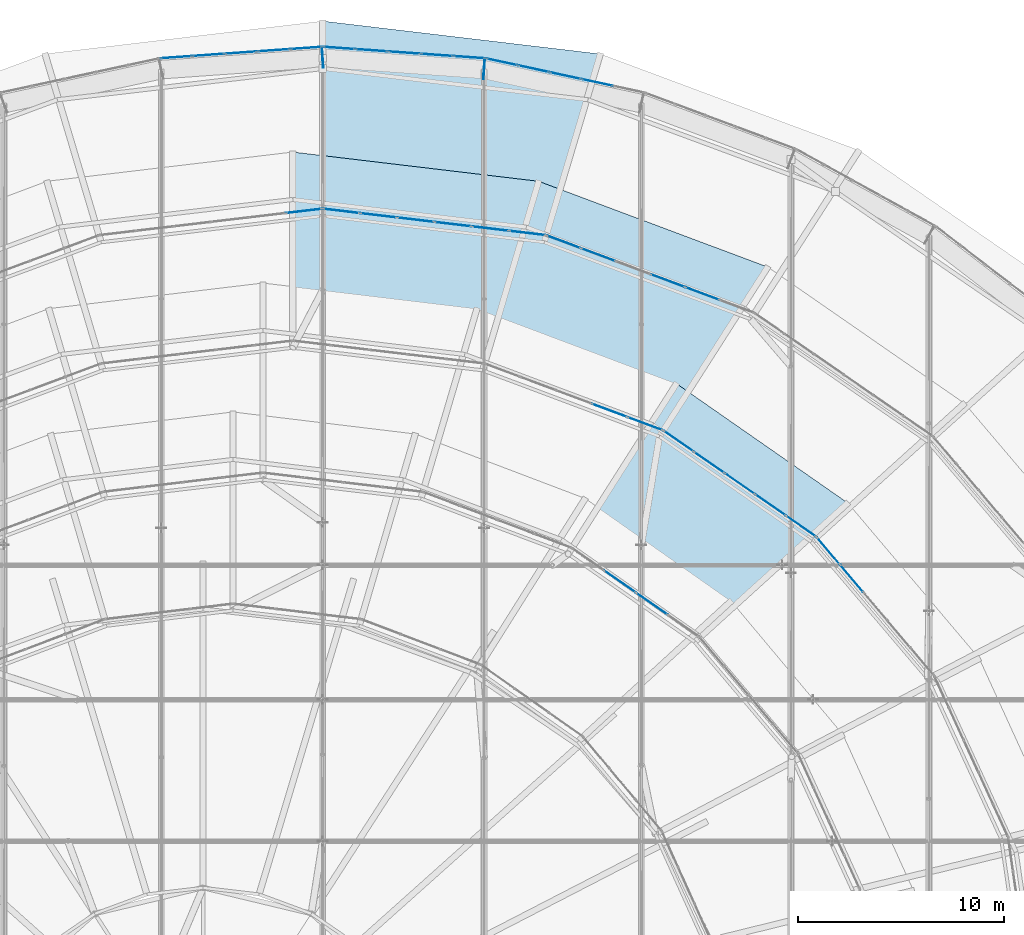
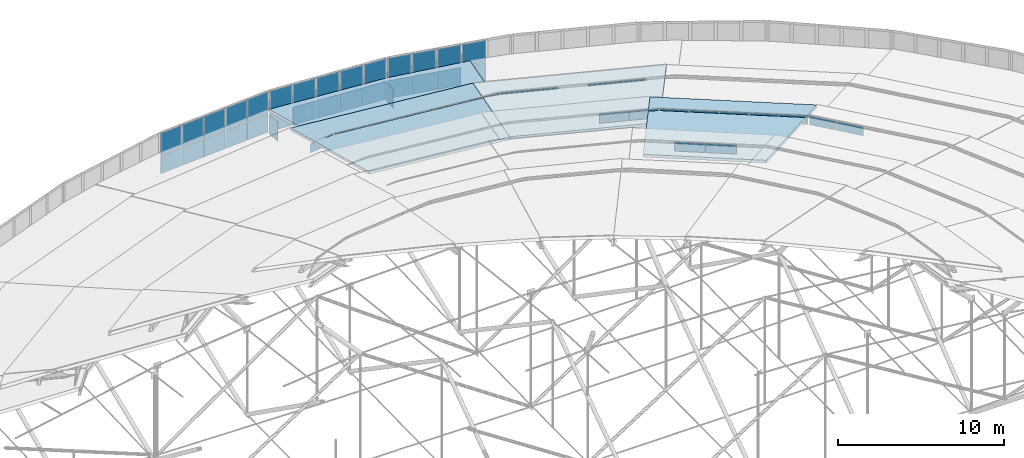
# One storey, part 158 of 173: 52 plates, 4 slabs, 13 elements without a shape of their own.
"""IFC4 building model written with IfcOpenShell, lengths in metres."""

import ifcopenshell
import ifcopenshell.guid

model = None  # the IFC model being written
_history = None  # IfcOwnerHistory: only IFC2X3 demands one
_inside = {}  # id of a spatial element -> (the spatial element, [elements in it])
_under = {}  # id of a project, library or spatial element -> (it, [spatial elements below it])
_declared = {}  # id of a project -> (the project, [libraries it declares])
_typed = {}  # id of a type object -> (the type object, [elements of that type])
_made_of = {}  # id of a material, layer set ... -> (it, [elements and type objects made of it])


def new_model(schema):
    """Start an empty IFC model of exactly this schema.

    Asked for "IFC4X3", IfcOpenShell would pick the latest addendum, in which some entities
    have other attributes; the version numbers below select the first issue.
    IFC2X3 requires an IfcOwnerHistory on every rooted entity: one is made here for all.
    """
    global model, _history
    if schema == "IFC4X3":
        model = ifcopenshell.file(schema_version=(4, 3, 0, 0))
    else:
        model = ifcopenshell.file(schema=schema)
    _inside.clear()
    _under.clear()
    _declared.clear()
    _typed.clear()
    _made_of.clear()
    _history = None
    if model.schema == "IFC2X3":
        org = make("IfcOrganization", Name="unknown")
        user = make(
            "IfcPersonAndOrganization",
            ThePerson=make("IfcPerson", FamilyName="unknown"),
            TheOrganization=org,
        )
        app = make(
            "IfcApplication",
            ApplicationDeveloper=org,
            Version="unknown",
            ApplicationFullName="unknown",
            ApplicationIdentifier="unknown",
        )
        _history = make(
            "IfcOwnerHistory",
            OwningUser=user,
            OwningApplication=app,
            ChangeAction="ADDED",
            CreationDate=0,
        )
    return model


def make(cls, **values):
    """One entity of the class cls with the attributes given. An attribute that is None is left unset."""
    return model.create_entity(
        cls, **{name: value for name, value in values.items() if value is not None}
    )


def rooted(cls, **values):
    """An entity with a GlobalId (a new one), such as an element, a storey or a relation."""
    return make(cls, GlobalId=ifcopenshell.guid.new(), OwnerHistory=_history, **values)


def si_unit(unit_type, name, prefix=None):
    """IfcSIUnit, for example si_unit("LENGTHUNIT", "METRE", prefix="MILLI")."""
    return make("IfcSIUnit", UnitType=unit_type, Prefix=prefix, Name=name)


def assignment(units):
    """IfcUnitAssignment: the units of a project."""
    return None if units is None else make("IfcUnitAssignment", Units=units)


def point(xyz):
    """IfcCartesianPoint."""
    return None if xyz is None else make("IfcCartesianPoint", Coordinates=xyz)


def direction(xyz):
    """IfcDirection."""
    return None if xyz is None else make("IfcDirection", DirectionRatios=xyz)


def frame(location, z_axis=None, x_axis=None):
    """IfcAxis2Placement3D, a coordinate frame: its origin and axes. An axis left out is left unset."""
    return make(
        "IfcAxis2Placement3D",
        Location=point(location),
        Axis=direction(z_axis),
        RefDirection=direction(x_axis),
    )


def frame_2d(location, x_axis=None):
    """IfcAxis2Placement2D, a coordinate frame in the plane: its origin and x axis."""
    return make(
        "IfcAxis2Placement2D", Location=point(location), RefDirection=direction(x_axis)
    )


def origin():
    """The frame at (0, 0, 0) with its axes left unset."""
    return frame((0.0, 0.0, 0.0))


def origin_2d():
    """The frame at (0, 0) in the plane with its x axis left unset."""
    return frame_2d((0.0, 0.0))


def place(relative_to, where):
    """IfcLocalPlacement: puts the frame where relative to a parent placement (None: the world)."""
    return make(
        "IfcLocalPlacement", PlacementRelTo=relative_to, RelativePlacement=where
    )


def context(
    kind, dimensions, precision=None, world=None, true_north=None, identifier=None
):
    """IfcGeometricRepresentationContext, for example the 3D "Model" context."""
    return make(
        "IfcGeometricRepresentationContext",
        ContextIdentifier=identifier,
        ContextType=kind,
        CoordinateSpaceDimension=dimensions,
        Precision=precision,
        WorldCoordinateSystem=world,
        TrueNorth=true_north,
    )


def subcontext(parent, identifier, kind, view, scale=None):
    """IfcGeometricRepresentationSubContext, for example "Body" below "Model"."""
    return make(
        "IfcGeometricRepresentationSubContext",
        ContextIdentifier=identifier,
        ContextType=kind,
        ParentContext=parent,
        TargetScale=scale,
        TargetView=view,
    )


def project(units=None, contexts=None):
    """IfcProject with its units and contexts."""
    return rooted(
        "IfcProject",
        Name="project",
        RepresentationContexts=contexts,
        UnitsInContext=assignment(units),
    )


def spatial(cls, under=None, at=None, **own):
    """A site, building, storey or space (cls), placed at a placement, below another one or the project."""
    s = rooted(cls, ObjectPlacement=at, **own)
    if under is not None:
        _under.setdefault(under.id(), (under, []))[1].append(s)
    return s


def polyline(points):
    """IfcPolyline through the points."""
    return make("IfcPolyline", Points=[point(p) for p in points])


def profile(cls, at=None, kind="AREA", **sizes):
    """A parametric profile (cls). Its sizes go by their IFC names, for example OverallWidth=200.0."""
    return make(cls, ProfileType=kind, Position=at, **sizes)


def rectangle(**sizes):
    """IfcRectangleProfileDef."""
    return profile("IfcRectangleProfileDef", **sizes)


def outline(outer, holes=None, kind="AREA"):
    """IfcArbitraryClosedProfileDef: a profile drawn as a closed curve; with holes, ...WithVoids."""
    if holes is None:
        return make("IfcArbitraryClosedProfileDef", ProfileType=kind, OuterCurve=outer)
    return make(
        "IfcArbitraryProfileDefWithVoids",
        ProfileType=kind,
        OuterCurve=outer,
        InnerCurves=holes,
    )


def extrude(swept, where, along, depth):
    """IfcExtrudedAreaSolid: the profile swept, set in the frame where, extruded along a direction by depth."""
    return make(
        "IfcExtrudedAreaSolid",
        SweptArea=swept,
        Position=where,
        ExtrudedDirection=direction(along),
        Depth=depth,
    )


def shape(context_of_items, identifier, shape_type, items):
    """IfcShapeRepresentation: the items that make up one representation, for example the "Body"."""
    return make(
        "IfcShapeRepresentation",
        ContextOfItems=context_of_items,
        RepresentationIdentifier=identifier,
        RepresentationType=shape_type,
        Items=items,
    )


def material(Name=None, Category=None):
    """IfcMaterial."""
    return make("IfcMaterial", Name=Name, Category=Category)


def layer(
    of_material, thickness, ventilated=None, Name=None, Category=None, Priority=None
):
    """IfcMaterialLayer: one layer of a wall or slab, of a material (None: an air gap)."""
    return make(
        "IfcMaterialLayer",
        Material=of_material,
        LayerThickness=thickness,
        IsVentilated=ventilated,
        Name=Name,
        Category=Category,
        Priority=Priority,
    )


def layer_set(layers, Name=None):
    """IfcMaterialLayerSet."""
    return make("IfcMaterialLayerSet", MaterialLayers=layers, LayerSetName=Name)


def made_of(thing, what):
    """Note that an element or type object is made of a material, layer set ...; save() writes the relation."""
    if what is not None:
        _made_of.setdefault(what.id(), (what, []))[1].append(thing)
    return thing


def type_object(cls, material=None, **own):
    """A type object (cls), such as IfcWallType, which elements share."""
    return made_of(rooted(cls, **own), material)


def element(
    cls,
    number,
    at=None,
    inside=None,
    cuts=None,
    type_object=None,
    material=None,
    context=None,
    identifier="Body",
    shape_type=None,
    held_by="IfcProductDefinitionShape",
    body=None,
    shapes=None,
    **own,
):
    """One element of the class cls, such as IfcWall. Its Tag is "e" and its number.

    at: its placement. inside: the storey or other place that contains it. cuts: it is an
    opening in that element (IfcRelVoidsElement). A single representation is given by context,
    identifier, shape_type and body (its items); several are given by shapes. held_by: the class
    of the entity that holds the representations. save() writes the other relations.
    """
    e = rooted(cls, Tag="e%d" % number, ObjectPlacement=at, **own)
    if body is not None:
        shapes = [shape(context, identifier, shape_type, body)]
    if shapes is not None:
        e.Representation = make(held_by, Representations=shapes)
    if inside is not None:
        _inside.setdefault(inside.id(), (inside, []))[1].append(e)
    if cuts is not None:
        rooted(
            "IfcRelVoidsElement", RelatingBuildingElement=cuts, RelatedOpeningElement=e
        )
    if type_object is not None:
        _typed.setdefault(type_object.id(), (type_object, []))[1].append(e)
    return made_of(e, material)


def aggregate(whole, parts):
    """IfcRelAggregates: a whole, such as a stair, and the parts it consists of."""
    return rooted("IfcRelAggregates", RelatingObject=whole, RelatedObjects=parts)


def save(model, path):
    """Write the relations noted so far, then the file.

    IfcRelAggregates (storeys below a building ...), IfcRelContainedInSpatialStructure (elements
    in a storey), IfcRelDefinesByType, IfcRelAssociatesMaterial and IfcRelDeclares: one each for
    every whole, place, type object, material and project.
    """
    for whole, parts in _under.values():
        aggregate(whole, parts)
    for where, things in _inside.values():
        rooted(
            "IfcRelContainedInSpatialStructure",
            RelatedElements=things,
            RelatingStructure=where,
        )
    for kind, things in _typed.values():
        rooted("IfcRelDefinesByType", RelatedObjects=things, RelatingType=kind)
    for what, things in _made_of.values():
        rooted("IfcRelAssociatesMaterial", RelatedObjects=things, RelatingMaterial=what)
    for by, libraries in _declared.values():
        rooted("IfcRelDeclares", RelatingContext=by, RelatedDefinitions=libraries)
    model.write(path)


model = new_model("IFC4")

# Units and contexts
model_context = context("Model", 3, precision=1e-05, world=origin(), true_north=direction((0.0, 1.0)))
body_context = subcontext(model_context, "Body", "Model", "MODEL_VIEW")
ifc_project = project(units=[si_unit("LENGTHUNIT", "METRE"), si_unit("AREAUNIT", "SQUARE_METRE"), si_unit("VOLUMEUNIT", "CUBIC_METRE"), si_unit("PLANEANGLEUNIT", "RADIAN"), si_unit("MASSUNIT", "GRAM", prefix="KILO")], contexts=[model_context])

# Site, building, storey
site_placement = place(None, origin())
site = spatial("IfcSite", under=ifc_project, at=site_placement, CompositionType="ELEMENT")
building_placement = place(site_placement, origin())
building = spatial("IfcBuilding", under=site, at=building_placement, Name="Glasvene Arena", CompositionType="ELEMENT")
storey_placement = place(building_placement, frame((0.0, 0.0, 28.800048828125)))
storey = spatial("IfcBuildingStorey", under=building, at=storey_placement, Name="RF", CompositionType="ELEMENT", Elevation=28.800048828125)

# Curtain wall, plates
ifc_material_1 = material(Name="Low-emissivity laminated double glazing", Category="glass")
curtain_wall_type_1 = type_object("IfcCurtainWallType", Name="CW-PET1-1077x75", PredefinedType="USERDEFINED", material=ifc_material_1)
curtain_wall_1_placement = place(storey_placement, frame((112.925048828125, 105.649169921875, 0.0)))
curtain_wall_1 = element("IfcCurtainWall", 1, at=curtain_wall_1_placement, inside=storey, type_object=curtain_wall_type_1, Name="Petal ring 1-2 clerestory curtain wall 05", ObjectType="CURTAIN WALL", PredefinedType="USERDEFINED")
ifc_layer_1 = layer(ifc_material_1, 0.028076171875)
ifc_layer_set_1 = layer_set([ifc_layer_1], Name="Low-emissivity laminated double glazing")
plate_type_1 = type_object("IfcPlateType", Name="CW-GLZ-28", PredefinedType="CURTAIN_PANEL", material=ifc_layer_set_1)
plate_1_placement = place(storey_placement, frame((110.401611328125, 106.5908203125, 2.6298828125), z_axis=(0.0, 0.0, 1.0), x_axis=(-0.936902411354, 0.349591006176, 0.0)))
plate_1 = element("IfcPlate", 2, at=plate_1_placement, type_object=plate_type_1, Name="CW-085 panel 2.1", PredefinedType="CURTAIN_PANEL", context=body_context, shape_type="SweptSolid", body=[
    extrude(rectangle(XDim=1.74560546875, YDim=0.028076171875, at=origin_2d()), origin(), (0.0, 0.0, 1.0), 0.64990234375),
])
plate_2_placement = place(storey_placement, frame((108.719482421875, 107.218505859375, 2.6298828125), z_axis=(0.0, 0.0, 1.0), x_axis=(-0.936902411354, 0.349591006176, 0.0)))
plate_2 = element("IfcPlate", 3, at=plate_2_placement, type_object=plate_type_1, Name="CW-085 panel 3.1", PredefinedType="CURTAIN_PANEL", context=body_context, shape_type="SweptSolid", body=[
    extrude(rectangle(XDim=1.74560546875, YDim=0.028076171875, at=origin_2d()), origin(), (0.0, 0.0, 1.0), 0.64990234375),
])
plate_3_placement = place(storey_placement, frame((105.35498046875, 108.473876953125, 2.6298828125), z_axis=(0.0, 0.0, 1.0), x_axis=(-0.936902411354, 0.349591006176, 0.0)))
plate_3 = element("IfcPlate", 4, at=plate_3_placement, type_object=plate_type_1, Name="CW-085 panel 5.1", PredefinedType="CURTAIN_PANEL", context=body_context, shape_type="SweptSolid", body=[
    extrude(rectangle(XDim=1.74560546875, YDim=0.028076171875, at=origin_2d()), origin(), (0.0, 0.0, 1.0), 0.64990234375),
])
plate_4_placement = place(storey_placement, frame((103.684326171875, 109.09716796875, 2.6298828125), z_axis=(0.0, 0.0, 1.0), x_axis=(-0.936902411354, 0.349591006176, 0.0)))
plate_4 = element("IfcPlate", 5, at=plate_4_placement, type_object=plate_type_1, Name="CW-085 panel 6.1", PredefinedType="CURTAIN_PANEL", context=body_context, shape_type="SweptSolid", body=[
    extrude(rectangle(XDim=1.720458984375, YDim=0.028076171875, at=origin_2d()), origin(), (0.0, 0.0, 1.0), 0.64990234375),
])
aggregate(curtain_wall_1, [plate_1, plate_2, plate_3, plate_4])

curtain_wall_type_2 = type_object("IfcCurtainWallType", Name="CW-PET1-1091x75", PredefinedType="USERDEFINED", material=ifc_material_1)
curtain_wall_2_placement = place(storey_placement, frame((102.83154296875, 109.415283203125, 0.0)))
curtain_wall_2 = element("IfcCurtainWall", 6, at=curtain_wall_2_placement, inside=storey, type_object=curtain_wall_type_2, Name="Petal ring 1-2 clerestory curtain wall 06", ObjectType="CURTAIN WALL", PredefinedType="USERDEFINED")
plate_5_placement = place(storey_placement, frame((101.91650390625, 109.52392578125, 2.6298828125), z_axis=(0.0, 0.0, 1.0), x_axis=(-0.993040652756, 0.117772076378, 0.0)))
plate_5 = element("IfcPlate", 7, at=plate_5_placement, type_object=plate_type_1, Name="CW-086 panel 1.1", PredefinedType="CURTAIN_PANEL", context=body_context, shape_type="SweptSolid", body=[
    extrude(rectangle(XDim=1.742919921875, YDim=0.028076171875, at=origin_2d()), origin(), (0.0, 0.0, 1.0), 0.64990234375),
])
plate_6_placement = place(storey_placement, frame((100.123779296875, 109.736572265625, 2.6298828125), z_axis=(0.0, 0.0, 1.0), x_axis=(-0.993040652756, 0.117772076378, 0.0)))
plate_6 = element("IfcPlate", 8, at=plate_6_placement, type_object=plate_type_1, Name="CW-086 panel 2.1", PredefinedType="CURTAIN_PANEL", context=body_context, shape_type="SweptSolid", body=[
    extrude(rectangle(XDim=1.767822265625, YDim=0.028076171875, at=origin_2d()), origin(), (0.0, 0.0, 1.0), 0.64990234375),
])
plate_7_placement = place(storey_placement, frame((98.318359375, 109.95068359375, 2.6298828125), z_axis=(0.0, 0.0, 1.0), x_axis=(-0.993040652756, 0.117772076378, 0.0)))
plate_7 = element("IfcPlate", 9, at=plate_7_placement, type_object=plate_type_1, Name="CW-086 panel 3.1", PredefinedType="CURTAIN_PANEL", context=body_context, shape_type="SweptSolid", body=[
    extrude(rectangle(XDim=1.767822265625, YDim=0.028076171875, at=origin_2d()), origin(), (0.0, 0.0, 1.0), 0.64990234375),
])
plate_8_placement = place(storey_placement, frame((96.51318359375, 110.164794921875, 2.6298828125), z_axis=(0.0, 0.0, 1.0), x_axis=(-0.993040652756, 0.117772076378, 0.0)))
plate_8 = element("IfcPlate", 10, at=plate_8_placement, type_object=plate_type_1, Name="CW-086 panel 4.1", PredefinedType="CURTAIN_PANEL", context=body_context, shape_type="SweptSolid", body=[
    extrude(rectangle(XDim=1.767822265625, YDim=0.028076171875, at=origin_2d()), origin(), (0.0, 0.0, 1.0), 0.64990234375),
])
plate_9_placement = place(storey_placement, frame((94.7080078125, 110.37890625, 2.6298828125), z_axis=(0.0, 0.0, 1.0), x_axis=(-0.993040652756, 0.117772076378, 0.0)))
plate_9 = element("IfcPlate", 11, at=plate_9_placement, type_object=plate_type_1, Name="CW-086 panel 5.1", PredefinedType="CURTAIN_PANEL", context=body_context, shape_type="SweptSolid", body=[
    extrude(rectangle(XDim=1.767822265625, YDim=0.028076171875, at=origin_2d()), origin(), (0.0, 0.0, 1.0), 0.64990234375),
])
plate_10_placement = place(storey_placement, frame((92.9150390625, 110.591552734375, 2.6298828125), z_axis=(0.0, 0.0, 1.0), x_axis=(-0.993040652756, 0.117772076378, 0.0)))
plate_10 = element("IfcPlate", 12, at=plate_10_placement, type_object=plate_type_1, Name="CW-086 panel 6.1", PredefinedType="CURTAIN_PANEL", context=body_context, shape_type="SweptSolid", body=[
    extrude(rectangle(XDim=1.742919921875, YDim=0.028076171875, at=origin_2d()), origin(), (0.0, 0.0, 1.0), 0.64990234375),
])
aggregate(curtain_wall_2, [plate_5, plate_6, plate_7, plate_8, plate_9, plate_10])

# Curtain wall, plate
curtain_wall_3_placement = place(storey_placement, frame((92.0, 110.699951171875, 0.0)))
curtain_wall_3 = element("IfcCurtainWall", 13, at=curtain_wall_3_placement, inside=storey, type_object=curtain_wall_type_2, Name="Petal ring 1-2 clerestory curtain wall 07", ObjectType="CURTAIN WALL", PredefinedType="USERDEFINED")
plate_11_placement = place(storey_placement, frame((91.0849609375, 110.591552734375, 2.6298828125), z_axis=(0.0, 0.0, 1.0), x_axis=(-0.993040652756, -0.117772076378, 0.0)))
plate_11 = element("IfcPlate", 14, at=plate_11_placement, type_object=plate_type_1, Name="CW-086 panel 1.1", PredefinedType="CURTAIN_PANEL", context=body_context, shape_type="SweptSolid", body=[
    extrude(rectangle(XDim=1.742919921875, YDim=0.028076171875, at=origin_2d()), origin(), (0.0, 0.0, 1.0), 0.64990234375),
])
aggregate(curtain_wall_3, [plate_11])

# Curtain wall, plates
curtain_wall_type_3 = type_object("IfcCurtainWallType", Name="CW-PET2-882x75", PredefinedType="USERDEFINED", material=ifc_material_1)
curtain_wall_4_placement = place(storey_placement, frame((121.640380859375, 88.074951171875, 0.0)))
curtain_wall_4 = element("IfcCurtainWall", 15, at=curtain_wall_4_placement, inside=storey, type_object=curtain_wall_type_3, Name="Petal ring 2-3 clerestory curtain wall 03", ObjectType="CURTAIN WALL", PredefinedType="USERDEFINED")
plate_12_placement = place(storey_placement, frame((117.646728515625, 92.779541015625, 5.22998046875), z_axis=(0.0, 0.0, 1.0), x_axis=(-0.647166893632, 0.762348353305, 0.0)))
plate_12 = element("IfcPlate", 16, at=plate_12_placement, type_object=plate_type_1, Name="CW-089 panel 4.1", PredefinedType="CURTAIN_PANEL", context=body_context, shape_type="SweptSolid", body=[
    extrude(rectangle(XDim=1.713134765625, YDim=0.028076171875, at=origin_2d()), origin(), (0.0, 0.0, 1.0), 0.64990234375),
])
plate_13_placement = place(storey_placement, frame((116.513671875, 94.114013671875, 5.22998046875), z_axis=(0.0, 0.0, 1.0), x_axis=(-0.647166893632, 0.762348353305, 0.0)))
plate_13 = element("IfcPlate", 17, at=plate_13_placement, type_object=plate_type_1, Name="CW-089 panel 5.1", PredefinedType="CURTAIN_PANEL", context=body_context, shape_type="SweptSolid", body=[
    extrude(rectangle(XDim=1.688232421875, YDim=0.028076171875, at=origin_2d()), origin(), (0.0, 0.0, 1.0), 0.64990234375),
])
aggregate(curtain_wall_4, [plate_12, plate_13])

curtain_wall_type_4 = type_object("IfcCurtainWallType", Name="CW-PET2-905x75", PredefinedType="USERDEFINED", material=ifc_material_1)
curtain_wall_5_placement = place(storey_placement, frame((115.93505859375, 94.795654296875, 0.0)))
curtain_wall_5 = element("IfcCurtainWall", 18, at=curtain_wall_5_placement, inside=storey, type_object=curtain_wall_type_4, Name="Petal ring 2-3 clerestory curtain wall 04", ObjectType="CURTAIN WALL", PredefinedType="USERDEFINED")
plate_14_placement = place(storey_placement, frame((115.181396484375, 95.318359375, 5.22998046875), z_axis=(0.0, 0.0, 1.0), x_axis=(-0.821699335018, 0.569921225109, 0.0)))
plate_14 = element("IfcPlate", 19, at=plate_14_placement, type_object=plate_type_1, Name="CW-090 panel 1.1", PredefinedType="CURTAIN_PANEL", context=body_context, shape_type="SweptSolid", body=[
    extrude(rectangle(XDim=1.734619140625, YDim=0.028076171875, at=origin_2d()), origin(), (0.0, 0.0, 1.0), 0.64990234375),
])
plate_15_placement = place(storey_placement, frame((113.70458984375, 96.3427734375, 5.22998046875), z_axis=(0.0, 0.0, 1.0), x_axis=(-0.821699335018, 0.569921225109, 0.0)))
plate_15 = element("IfcPlate", 20, at=plate_15_placement, type_object=plate_type_1, Name="CW-090 panel 2.1", PredefinedType="CURTAIN_PANEL", context=body_context, shape_type="SweptSolid", body=[
    extrude(rectangle(XDim=1.759765625, YDim=0.028076171875, at=origin_2d()), origin(), (0.0, 0.0, 1.0), 0.64990234375),
])
plate_16_placement = place(storey_placement, frame((112.217529296875, 97.3740234375, 5.22998046875), z_axis=(0.0, 0.0, 1.0), x_axis=(-0.821699335018, 0.569921225109, 0.0)))
plate_16 = element("IfcPlate", 21, at=plate_16_placement, type_object=plate_type_1, Name="CW-090 panel 3.1", PredefinedType="CURTAIN_PANEL", context=body_context, shape_type="SweptSolid", body=[
    extrude(rectangle(XDim=1.759765625, YDim=0.028076171875, at=origin_2d()), origin(), (0.0, 0.0, 1.0), 0.64990234375),
])
plate_17_placement = place(storey_placement, frame((110.73046875, 98.405517578125, 5.22998046875), z_axis=(0.0, 0.0, 1.0), x_axis=(-0.821699335018, 0.569921225109, 0.0)))
plate_17 = element("IfcPlate", 22, at=plate_17_placement, type_object=plate_type_1, Name="CW-090 panel 4.1", PredefinedType="CURTAIN_PANEL", context=body_context, shape_type="SweptSolid", body=[
    extrude(rectangle(XDim=1.759765625, YDim=0.028076171875, at=origin_2d()), origin(), (0.0, 0.0, 1.0), 0.64990234375),
])
plate_18_placement = place(storey_placement, frame((109.253662109375, 99.4296875, 5.22998046875), z_axis=(0.0, 0.0, 1.0), x_axis=(-0.821699335018, 0.569921225109, 0.0)))
plate_18 = element("IfcPlate", 23, at=plate_18_placement, type_object=plate_type_1, Name="CW-090 panel 5.1", PredefinedType="CURTAIN_PANEL", context=body_context, shape_type="SweptSolid", body=[
    extrude(rectangle(XDim=1.734619140625, YDim=0.028076171875, at=origin_2d()), origin(), (0.0, 0.0, 1.0), 0.64990234375),
])
aggregate(curtain_wall_5, [plate_14, plate_15, plate_16, plate_17, plate_18])

curtain_wall_type_5 = type_object("IfcCurtainWallType", Name="CW-PET2-925x75", PredefinedType="USERDEFINED", material=ifc_material_1)
curtain_wall_6_placement = place(storey_placement, frame((108.5, 99.952392578125, 0.0)))
curtain_wall_6 = element("IfcCurtainWall", 24, at=curtain_wall_6_placement, inside=storey, type_object=curtain_wall_type_5, Name="Petal ring 2-3 clerestory curtain wall 05", ObjectType="CURTAIN WALL", PredefinedType="USERDEFINED")
plate_19_placement = place(storey_placement, frame((107.62255859375, 100.281005859375, 5.22998046875), z_axis=(0.0, 0.0, 1.0), x_axis=(-0.936510409342, 0.350639776971, 0.0)))
plate_19 = element("IfcPlate", 25, at=plate_19_placement, type_object=plate_type_1, Name="CW-091 panel 1.1", PredefinedType="CURTAIN_PANEL", context=body_context, shape_type="SweptSolid", body=[
    extrude(rectangle(XDim=1.774169921875, YDim=0.028076171875, at=origin_2d()), origin(), (0.0, 0.0, 1.0), 0.64990234375),
])
plate_20_placement = place(storey_placement, frame((105.902587890625, 100.925048828125, 5.22998046875), z_axis=(0.0, 0.0, 1.0), x_axis=(-0.936510409342, 0.350639776971, 0.0)))
plate_20 = element("IfcPlate", 26, at=plate_20_placement, type_object=plate_type_1, Name="CW-091 panel 2.1", PredefinedType="CURTAIN_PANEL", context=body_context, shape_type="SweptSolid", body=[
    extrude(rectangle(XDim=1.799072265625, YDim=0.028076171875, at=origin_2d()), origin(), (0.0, 0.0, 1.0), 0.64990234375),
])
aggregate(curtain_wall_6, [plate_19, plate_20])

curtain_wall_type_6 = type_object("IfcCurtainWallType", Name="CW-PET3-756x75", PredefinedType="USERDEFINED", material=ifc_material_1)
curtain_wall_7_placement = place(storey_placement, frame((110.27783203125, 89.933349609375, 0.0)))
curtain_wall_7 = element("IfcCurtainWall", 27, at=curtain_wall_7_placement, inside=storey, type_object=curtain_wall_type_6, Name="Petal ring 3-4 clerestory curtain wall 04", ObjectType="CURTAIN WALL", PredefinedType="USERDEFINED")
plate_21_placement = place(storey_placement, frame((107.95166015625, 91.55419921875, 7.8798828125), z_axis=(0.0, 0.0, 1.0), x_axis=(-0.82043313701, 0.571742483725, 0.0)))
plate_21 = element("IfcPlate", 28, at=plate_21_placement, type_object=plate_type_1, Name="CW-096 panel 2.1", PredefinedType="CURTAIN_PANEL", context=body_context, shape_type="SweptSolid", body=[
    extrude(rectangle(XDim=1.840087890625, YDim=0.028076171875, at=origin_2d()), origin(), (0.0, 0.0, 1.0), 0.64990234375),
])
plate_22_placement = place(storey_placement, frame((106.401123046875, 92.635009765625, 7.8798828125), z_axis=(0.0, 0.0, 1.0), x_axis=(-0.82043313701, 0.571742483725, 0.0)))
plate_22 = element("IfcPlate", 29, at=plate_22_placement, type_object=plate_type_1, Name="CW-096 panel 3.1", PredefinedType="CURTAIN_PANEL", context=body_context, shape_type="SweptSolid", body=[
    extrude(rectangle(XDim=1.840087890625, YDim=0.028076171875, at=origin_2d()), origin(), (0.0, 0.0, 1.0), 0.64990234375),
])
aggregate(curtain_wall_7, [plate_21, plate_22])

curtain_wall_type_7 = type_object("IfcCurtainWallType", Name="CW-DRUM-789x310", PredefinedType="USERDEFINED", material=ifc_material_1)
curtain_wall_8_placement = place(storey_placement, frame((107.620849609375, 116.320556640625, 0.0)))
curtain_wall_8 = element("IfcCurtainWall", 30, at=curtain_wall_8_placement, inside=storey, type_object=curtain_wall_type_7, Name="Crown compression-ring fascia curtain wall 09", ObjectType="CURTAIN WALL", PredefinedType="USERDEFINED")
ifc_material_2 = material(Name="Insulated shadow-box spandrel panel")
ifc_layer_2 = layer(ifc_material_2, 0.02392578125)
ifc_layer_set_2 = layer_set([ifc_layer_2], Name="Insulated shadow-box spandrel panel")
plate_type_2 = type_object("IfcPlateType", Name="CW-SPN-24", PredefinedType="CURTAIN_PANEL", material=ifc_layer_set_2)
plate_23_placement = place(storey_placement, frame((105.306884765625, 116.8212890625, -1.330078125), z_axis=(0.0, 0.0, 1.0), x_axis=(-0.977389964658, 0.211444690135, 0.0)))
plate_23 = element("IfcPlate", 31, at=plate_23_placement, type_object=plate_type_2, Name="CW-079 panel 2.1", PredefinedType="CURTAIN_PANEL", context=body_context, shape_type="SweptSolid", body=[
    extrude(rectangle(XDim=1.5283203125, YDim=0.02392578125, at=origin_2d()), origin(), (0.0, 0.0, 1.0), 1.324951171875),
])
plate_24_placement = place(storey_placement, frame((105.306884765625, 116.8212890625, 0.044921875), z_axis=(0.0, 0.0, 1.0), x_axis=(-0.977389964658, 0.211444690135, 0.0)))
plate_24 = element("IfcPlate", 32, at=plate_24_placement, type_object=plate_type_2, Name="CW-079 panel 2.2", PredefinedType="CURTAIN_PANEL", context=body_context, shape_type="SweptSolid", body=[
    extrude(rectangle(XDim=1.5283203125, YDim=0.02392578125, at=origin_2d()), origin(), (0.0, 0.0, 1.0), 1.625),
])
plate_25_placement = place(storey_placement, frame((103.764404296875, 117.15478515625, -1.330078125), z_axis=(0.0, 0.0, 1.0), x_axis=(-0.977389964658, 0.211444690135, 0.0)))
plate_25 = element("IfcPlate", 33, at=plate_25_placement, type_object=plate_type_2, Name="CW-079 panel 3.1", PredefinedType="CURTAIN_PANEL", context=body_context, shape_type="SweptSolid", body=[
    extrude(rectangle(XDim=1.5283203125, YDim=0.02392578125, at=origin_2d()), origin(), (0.0, 0.0, 1.0), 1.324951171875),
])
plate_26_placement = place(storey_placement, frame((103.764404296875, 117.15478515625, 0.044921875), z_axis=(0.0, 0.0, 1.0), x_axis=(-0.977389964658, 0.211444690135, 0.0)))
plate_26 = element("IfcPlate", 34, at=plate_26_placement, type_object=plate_type_2, Name="CW-079 panel 3.2", PredefinedType="CURTAIN_PANEL", context=body_context, shape_type="SweptSolid", body=[
    extrude(rectangle(XDim=1.5283203125, YDim=0.02392578125, at=origin_2d()), origin(), (0.0, 0.0, 1.0), 1.625),
])
plate_27_placement = place(storey_placement, frame((102.2216796875, 117.488525390625, -1.330078125), z_axis=(0.0, 0.0, 1.0), x_axis=(-0.977389964658, 0.211444690135, 0.0)))
plate_27 = element("IfcPlate", 35, at=plate_27_placement, type_object=plate_type_2, Name="CW-079 panel 4.1", PredefinedType="CURTAIN_PANEL", context=body_context, shape_type="SweptSolid", body=[
    extrude(rectangle(XDim=1.5283203125, YDim=0.02392578125, at=origin_2d()), origin(), (0.0, 0.0, 1.0), 1.324951171875),
])
plate_28_placement = place(storey_placement, frame((102.2216796875, 117.488525390625, 0.044921875), z_axis=(0.0, 0.0, 1.0), x_axis=(-0.977389964658, 0.211444690135, 0.0)))
plate_28 = element("IfcPlate", 36, at=plate_28_placement, type_object=plate_type_2, Name="CW-079 panel 4.2", PredefinedType="CURTAIN_PANEL", context=body_context, shape_type="SweptSolid", body=[
    extrude(rectangle(XDim=1.5283203125, YDim=0.02392578125, at=origin_2d()), origin(), (0.0, 0.0, 1.0), 1.625),
])
plate_29_placement = place(storey_placement, frame((100.69140625, 117.819580078125, -1.330078125), z_axis=(0.0, 0.0, 1.0), x_axis=(-0.977389964658, 0.211444690135, 0.0)))
plate_29 = element("IfcPlate", 37, at=plate_29_placement, type_object=plate_type_2, Name="CW-079 panel 5.1", PredefinedType="CURTAIN_PANEL", context=body_context, shape_type="SweptSolid", body=[
    extrude(rectangle(XDim=1.503173828125, YDim=0.02392578125, at=origin_2d()), origin(), (0.0, 0.0, 1.0), 1.324951171875),
])
plate_30_placement = place(storey_placement, frame((100.69140625, 117.819580078125, 0.044921875), z_axis=(0.0, 0.0, 1.0), x_axis=(-0.977389964658, 0.211444690135, 0.0)))
plate_30 = element("IfcPlate", 38, at=plate_30_placement, type_object=plate_type_2, Name="CW-079 panel 5.2", PredefinedType="CURTAIN_PANEL", context=body_context, shape_type="SweptSolid", body=[
    extrude(rectangle(XDim=1.503173828125, YDim=0.02392578125, at=origin_2d()), origin(), (0.0, 0.0, 1.0), 1.625),
])
aggregate(curtain_wall_8, [plate_23, plate_24, plate_25, plate_26, plate_27, plate_28, plate_29, plate_30])

curtain_wall_type_8 = type_object("IfcCurtainWallType", Name="CW-DRUM-793x310", PredefinedType="USERDEFINED", material=ifc_material_1)
curtain_wall_9_placement = place(storey_placement, frame((99.90771484375, 117.9892578125, 0.0)))
curtain_wall_9 = element("IfcCurtainWall", 39, at=curtain_wall_9_placement, inside=storey, type_object=curtain_wall_type_8, Name="Crown compression-ring fascia curtain wall 10", ObjectType="CURTAIN WALL", PredefinedType="USERDEFINED")
plate_31_placement = place(storey_placement, frame((99.1044921875, 118.046142578125, -1.330078125), z_axis=(0.0, 0.0, 1.0), x_axis=(-0.997494812204, 0.07073966092, 0.0)))
plate_31 = element("IfcPlate", 40, at=plate_31_placement, type_object=plate_type_2, Name="CW-080 panel 1.1", PredefinedType="CURTAIN_PANEL", context=body_context, shape_type="SweptSolid", body=[
    extrude(rectangle(XDim=1.510498046875, YDim=0.02392578125, at=origin_2d()), origin(), (0.0, 0.0, 1.0), 1.324951171875),
])
plate_32_placement = place(storey_placement, frame((99.1044921875, 118.046142578125, 0.044921875), z_axis=(0.0, 0.0, 1.0), x_axis=(-0.997494812204, 0.07073966092, 0.0)))
plate_32 = element("IfcPlate", 41, at=plate_32_placement, type_object=plate_type_2, Name="CW-080 panel 1.2", PredefinedType="CURTAIN_PANEL", context=body_context, shape_type="SweptSolid", body=[
    extrude(rectangle(XDim=1.510498046875, YDim=0.02392578125, at=origin_2d()), origin(), (0.0, 0.0, 1.0), 1.625),
])
plate_33_placement = place(storey_placement, frame((97.535400390625, 118.157470703125, -1.330078125), z_axis=(0.0, 0.0, 1.0), x_axis=(-0.997494812204, 0.07073966092, 0.0)))
plate_33 = element("IfcPlate", 42, at=plate_33_placement, type_object=plate_type_2, Name="CW-080 panel 2.1", PredefinedType="CURTAIN_PANEL", context=body_context, shape_type="SweptSolid", body=[
    extrude(rectangle(XDim=1.53564453125, YDim=0.02392578125, at=origin_2d()), origin(), (0.0, 0.0, 1.0), 1.324951171875),
])
plate_34_placement = place(storey_placement, frame((97.535400390625, 118.157470703125, 0.044921875), z_axis=(0.0, 0.0, 1.0), x_axis=(-0.997494812204, 0.07073966092, 0.0)))
plate_34 = element("IfcPlate", 43, at=plate_34_placement, type_object=plate_type_2, Name="CW-080 panel 2.2", PredefinedType="CURTAIN_PANEL", context=body_context, shape_type="SweptSolid", body=[
    extrude(rectangle(XDim=1.53564453125, YDim=0.02392578125, at=origin_2d()), origin(), (0.0, 0.0, 1.0), 1.625),
])
plate_35_placement = place(storey_placement, frame((95.953857421875, 118.26953125, -1.330078125), z_axis=(0.0, 0.0, 1.0), x_axis=(-0.997494812204, 0.07073966092, 0.0)))
plate_35 = element("IfcPlate", 44, at=plate_35_placement, type_object=plate_type_2, Name="CW-080 panel 3.1", PredefinedType="CURTAIN_PANEL", context=body_context, shape_type="SweptSolid", body=[
    extrude(rectangle(XDim=1.53564453125, YDim=0.02392578125, at=origin_2d()), origin(), (0.0, 0.0, 1.0), 1.324951171875),
])
plate_36_placement = place(storey_placement, frame((95.953857421875, 118.26953125, 0.044921875), z_axis=(0.0, 0.0, 1.0), x_axis=(-0.997494812204, 0.07073966092, 0.0)))
plate_36 = element("IfcPlate", 45, at=plate_36_placement, type_object=plate_type_2, Name="CW-080 panel 3.2", PredefinedType="CURTAIN_PANEL", context=body_context, shape_type="SweptSolid", body=[
    extrude(rectangle(XDim=1.53564453125, YDim=0.02392578125, at=origin_2d()), origin(), (0.0, 0.0, 1.0), 1.625),
])
plate_37_placement = place(storey_placement, frame((94.372314453125, 118.3818359375, -1.330078125), z_axis=(0.0, 0.0, 1.0), x_axis=(-0.997494812204, 0.07073966092, 0.0)))
plate_37 = element("IfcPlate", 46, at=plate_37_placement, type_object=plate_type_2, Name="CW-080 panel 4.1", PredefinedType="CURTAIN_PANEL", context=body_context, shape_type="SweptSolid", body=[
    extrude(rectangle(XDim=1.53564453125, YDim=0.02392578125, at=origin_2d()), origin(), (0.0, 0.0, 1.0), 1.324951171875),
])
plate_38_placement = place(storey_placement, frame((94.372314453125, 118.3818359375, 0.044921875), z_axis=(0.0, 0.0, 1.0), x_axis=(-0.997494812204, 0.07073966092, 0.0)))
plate_38 = element("IfcPlate", 47, at=plate_38_placement, type_object=plate_type_2, Name="CW-080 panel 4.2", PredefinedType="CURTAIN_PANEL", context=body_context, shape_type="SweptSolid", body=[
    extrude(rectangle(XDim=1.53564453125, YDim=0.02392578125, at=origin_2d()), origin(), (0.0, 0.0, 1.0), 1.625),
])
plate_39_placement = place(storey_placement, frame((92.80322265625, 118.492919921875, -1.330078125), z_axis=(0.0, 0.0, 1.0), x_axis=(-0.997494812204, 0.07073966092, 0.0)))
plate_39 = element("IfcPlate", 48, at=plate_39_placement, type_object=plate_type_2, Name="CW-080 panel 5.1", PredefinedType="CURTAIN_PANEL", context=body_context, shape_type="SweptSolid", body=[
    extrude(rectangle(XDim=1.510498046875, YDim=0.02392578125, at=origin_2d()), origin(), (0.0, 0.0, 1.0), 1.324951171875),
])
plate_40_placement = place(storey_placement, frame((92.80322265625, 118.492919921875, 0.044921875), z_axis=(0.0, 0.0, 1.0), x_axis=(-0.997494812204, 0.07073966092, 0.0)))
plate_40 = element("IfcPlate", 49, at=plate_40_placement, type_object=plate_type_2, Name="CW-080 panel 5.2", PredefinedType="CURTAIN_PANEL", context=body_context, shape_type="SweptSolid", body=[
    extrude(rectangle(XDim=1.510498046875, YDim=0.02392578125, at=origin_2d()), origin(), (0.0, 0.0, 1.0), 1.625),
])
aggregate(curtain_wall_9, [plate_31, plate_32, plate_33, plate_34, plate_35, plate_36, plate_37, plate_38, plate_39, plate_40])

curtain_wall_10_placement = place(storey_placement, frame((92.0, 118.550048828125, 0.0)))
curtain_wall_10 = element("IfcCurtainWall", 50, at=curtain_wall_10_placement, inside=storey, type_object=curtain_wall_type_8, Name="Crown compression-ring fascia curtain wall 11", ObjectType="CURTAIN WALL", PredefinedType="USERDEFINED")
plate_41_placement = place(storey_placement, frame((91.19677734375, 118.492919921875, -1.330078125), z_axis=(0.0, 0.0, 1.0), x_axis=(-0.997494812204, -0.07073966092, 0.0)))
plate_41 = element("IfcPlate", 51, at=plate_41_placement, type_object=plate_type_2, Name="CW-080 panel 1.1", PredefinedType="CURTAIN_PANEL", context=body_context, shape_type="SweptSolid", body=[
    extrude(rectangle(XDim=1.510498046875, YDim=0.02392578125, at=origin_2d()), origin(), (0.0, 0.0, 1.0), 1.324951171875),
])
plate_42_placement = place(storey_placement, frame((91.19677734375, 118.492919921875, 0.044921875), z_axis=(0.0, 0.0, 1.0), x_axis=(-0.997494812204, -0.07073966092, 0.0)))
plate_42 = element("IfcPlate", 52, at=plate_42_placement, type_object=plate_type_2, Name="CW-080 panel 1.2", PredefinedType="CURTAIN_PANEL", context=body_context, shape_type="SweptSolid", body=[
    extrude(rectangle(XDim=1.510498046875, YDim=0.02392578125, at=origin_2d()), origin(), (0.0, 0.0, 1.0), 1.625),
])
plate_43_placement = place(storey_placement, frame((89.627685546875, 118.3818359375, -1.330078125), z_axis=(0.0, 0.0, 1.0), x_axis=(-0.997494812204, -0.07073966092, 0.0)))
plate_43 = element("IfcPlate", 53, at=plate_43_placement, type_object=plate_type_2, Name="CW-080 panel 2.1", PredefinedType="CURTAIN_PANEL", context=body_context, shape_type="SweptSolid", body=[
    extrude(rectangle(XDim=1.53564453125, YDim=0.02392578125, at=origin_2d()), origin(), (0.0, 0.0, 1.0), 1.324951171875),
])
plate_44_placement = place(storey_placement, frame((89.627685546875, 118.3818359375, 0.044921875), z_axis=(0.0, 0.0, 1.0), x_axis=(-0.997494812204, -0.07073966092, 0.0)))
plate_44 = element("IfcPlate", 54, at=plate_44_placement, type_object=plate_type_2, Name="CW-080 panel 2.2", PredefinedType="CURTAIN_PANEL", context=body_context, shape_type="SweptSolid", body=[
    extrude(rectangle(XDim=1.53564453125, YDim=0.02392578125, at=origin_2d()), origin(), (0.0, 0.0, 1.0), 1.625),
])
plate_45_placement = place(storey_placement, frame((88.046142578125, 118.26953125, -1.330078125), z_axis=(0.0, 0.0, 1.0), x_axis=(-0.997494812204, -0.07073966092, 0.0)))
plate_45 = element("IfcPlate", 55, at=plate_45_placement, type_object=plate_type_2, Name="CW-080 panel 3.1", PredefinedType="CURTAIN_PANEL", context=body_context, shape_type="SweptSolid", body=[
    extrude(rectangle(XDim=1.53564453125, YDim=0.02392578125, at=origin_2d()), origin(), (0.0, 0.0, 1.0), 1.324951171875),
])
plate_46_placement = place(storey_placement, frame((88.046142578125, 118.26953125, 0.044921875), z_axis=(0.0, 0.0, 1.0), x_axis=(-0.997494812204, -0.07073966092, 0.0)))
plate_46 = element("IfcPlate", 56, at=plate_46_placement, type_object=plate_type_2, Name="CW-080 panel 3.2", PredefinedType="CURTAIN_PANEL", context=body_context, shape_type="SweptSolid", body=[
    extrude(rectangle(XDim=1.53564453125, YDim=0.02392578125, at=origin_2d()), origin(), (0.0, 0.0, 1.0), 1.625),
])
plate_47_placement = place(storey_placement, frame((86.464599609375, 118.157470703125, -1.330078125), z_axis=(0.0, 0.0, 1.0), x_axis=(-0.997494812204, -0.07073966092, 0.0)))
plate_47 = element("IfcPlate", 57, at=plate_47_placement, type_object=plate_type_2, Name="CW-080 panel 4.1", PredefinedType="CURTAIN_PANEL", context=body_context, shape_type="SweptSolid", body=[
    extrude(rectangle(XDim=1.53564453125, YDim=0.02392578125, at=origin_2d()), origin(), (0.0, 0.0, 1.0), 1.324951171875),
])
plate_48_placement = place(storey_placement, frame((86.464599609375, 118.157470703125, 0.044921875), z_axis=(0.0, 0.0, 1.0), x_axis=(-0.997494812204, -0.07073966092, 0.0)))
plate_48 = element("IfcPlate", 58, at=plate_48_placement, type_object=plate_type_2, Name="CW-080 panel 4.2", PredefinedType="CURTAIN_PANEL", context=body_context, shape_type="SweptSolid", body=[
    extrude(rectangle(XDim=1.53564453125, YDim=0.02392578125, at=origin_2d()), origin(), (0.0, 0.0, 1.0), 1.625),
])
plate_49_placement = place(storey_placement, frame((84.8955078125, 118.046142578125, -1.330078125), z_axis=(0.0, 0.0, 1.0), x_axis=(-0.997494812204, -0.07073966092, 0.0)))
plate_49 = element("IfcPlate", 59, at=plate_49_placement, type_object=plate_type_2, Name="CW-080 panel 5.1", PredefinedType="CURTAIN_PANEL", context=body_context, shape_type="SweptSolid", body=[
    extrude(rectangle(XDim=1.510498046875, YDim=0.02392578125, at=origin_2d()), origin(), (0.0, 0.0, 1.0), 1.324951171875),
])
plate_50_placement = place(storey_placement, frame((84.8955078125, 118.046142578125, 0.044921875), z_axis=(0.0, 0.0, 1.0), x_axis=(-0.997494812204, -0.07073966092, 0.0)))
plate_50 = element("IfcPlate", 60, at=plate_50_placement, type_object=plate_type_2, Name="CW-080 panel 5.2", PredefinedType="CURTAIN_PANEL", context=body_context, shape_type="SweptSolid", body=[
    extrude(rectangle(XDim=1.510498046875, YDim=0.02392578125, at=origin_2d()), origin(), (0.0, 0.0, 1.0), 1.625),
])
aggregate(curtain_wall_10, [plate_41, plate_42, plate_43, plate_44, plate_45, plate_46, plate_47, plate_48, plate_49, plate_50])

# Plates
ifc_material_3 = material(Name="Steel S355J2", Category="steel")
ifc_layer_3 = layer(ifc_material_3, 0.035888671875)
ifc_layer_set_3 = layer_set([ifc_layer_3], Name="Steel S355J2")
plate_type_3 = type_object("IfcPlateType", Name="PL-CAP-36", PredefinedType="SHEET", material=ifc_layer_set_3)
for number, where, z_axis, x_axis, name in (
    (61, (99.82177734375, 117.446044921875, -1.409912109375), (0.0, 0.0, 1.0), (-0.997502796416, 0.070626985931, 0.0), "Ring beam node diaphragm cap plate ND-10"),
    (62, (92.0, 118.0, -1.409912109375), (0.0, 0.0, 1.0), (-0.997502796416, -0.070626985931, 0.0), "Ring beam node diaphragm cap plate ND-11"),
):
    element("IfcPlate", number, at=place(storey_placement, frame(where, z_axis=z_axis, x_axis=x_axis)), inside=storey, type_object=plate_type_3, Name=name, PredefinedType="SHEET", context=body_context, shape_type="SweptSolid", body=[
        extrude(rectangle(XDim=0.035888671875, YDim=0.919921875, at=origin_2d()), origin(), (0.0, 0.0, 1.0), 1.419921875),
    ])

# Roof, slab
ifc_material_4 = material(Name="Smooth matte white insulated roof panel")
ifc_layer_4 = layer(ifc_material_4, 0.179931640625)
ifc_layer_set_4 = layer_set([ifc_layer_4], Name="Smooth matte white insulated roof panel")
roof_type = type_object("IfcRoofType", Name="RF-PETAL-ASSY", PredefinedType="PAVILION_ROOF", material=ifc_layer_set_4)
roof_1_placement = place(storey_placement, frame((92.0, 73.0, 0.0)))
roof_1 = element("IfcRoof", 63, at=roof_1_placement, inside=storey, type_object=roof_type, Name="Shifted white elliptical petal roof ring 1", PredefinedType="PAVILION_ROOF")
ifc_material_5 = material(Name="Precast concrete C50/60", Category="concrete")
ifc_layer_5 = layer(ifc_material_5, 0.179931640625)
ifc_layer_set_5 = layer_set([ifc_layer_5], Name="Precast concrete C50/60")
slab_type = type_object("IfcSlabType", Name="SL-PETAL-180", PredefinedType="ROOF", material=ifc_layer_set_5)
slab_1_placement = place(storey_placement, frame((105.45849609375, 118.205322265625, 0.0), z_axis=(0.030290710869, 0.255636062325, 0.966298440687), x_axis=(-0.993052876715, 0.117668959578, -1.57217e-07)))
slab_1 = element("IfcSlab", 64, at=slab_1_placement, type_object=slab_type, Name="White petal roof slab ring 1 bay 06", PredefinedType="ROOF", context=body_context, shape_type="SweptSolid", body=[
    extrude(outline(polyline([(0.0, 0.0), (13.552648077575917, 2.220446049250313e-16), (12.440681762074297, 9.711596576464993), (1.6245759033453808, 9.711581693708933), (0.0, 0.0)])), origin(), (0.0, 0.0, -1.0), 0.179931640625),
])
aggregate(roof_1, [slab_1])

# Roof, slabs
roof_2_placement = place(storey_placement, frame((90.550048828125, 71.85009765625, 2.550048828125)))
roof_2 = element("IfcRoof", 65, at=roof_2_placement, inside=storey, type_object=roof_type, Name="Shifted white elliptical petal roof ring 2", PredefinedType="PAVILION_ROOF")
slab_2_placement = place(storey_placement, frame((113.574951171875, 107.876708984375, 2.550048828125), z_axis=(0.090548052921, 0.241990819679, 0.966044250179), x_axis=(-0.936582673241, 0.350446709479, 8.80892e-07)))
slab_2 = element("IfcSlab", 66, at=slab_2_placement, type_object=slab_type, Name="White petal roof slab ring 2 bay 05", PredefinedType="ROOF", context=body_context, shape_type="SweptSolid", body=[
    extrude(outline(polyline([(0.0, 0.0), (11.858477260696851, -8.881784197001252e-16), (11.192839277917098, 9.868517806590702), (2.0382818778191405, 9.86858944698674), (0.0, 0.0)])), origin(), (0.0, 0.0, -1.0), 0.179931640625),
])
slab_3_placement = place(storey_placement, frame((102.468505859375, 112.032470703125, 2.550048828125), z_axis=(0.030859366186, 0.259476037316, 0.965256383339), x_axis=(-0.99300181387, 0.118099100975, -4.97416e-07)))
slab_3 = element("IfcSlab", 67, at=slab_3_placement, type_object=slab_type, Name="White petal roof slab ring 2 bay 06", PredefinedType="ROOF", context=body_context, shape_type="SweptSolid", body=[
    extrude(outline(polyline([(0.0, 0.0), (12.002452619569137, 0.0), (10.882239859294526, 9.757997826413874), (1.6164733725074407, 9.757957340507794), (0.0, 0.0)])), origin(), (0.0, 0.0, -1.0), 0.179931640625),
])
aggregate(roof_2, [slab_2, slab_3])

# Roof, slab
roof_3_placement = place(storey_placement, frame((89.10009765625, 70.699951171875, 5.14990234375)))
roof_3 = element("IfcRoof", 68, at=roof_3_placement, inside=storey, type_object=roof_type, Name="Shifted white elliptical petal roof ring 3", PredefinedType="PAVILION_ROOF")
slab_4_placement = place(storey_placement, frame((117.455078125, 96.438720703125, 5.14990234375), z_axis=(0.146932206358, 0.210959726823, 0.966388596991), x_axis=(-0.820574185218, 0.571540030569, -3.262872e-06)))
slab_4 = element("IfcSlab", 69, at=slab_4_placement, type_object=slab_type, Name="White petal roof slab ring 3 bay 04", PredefinedType="ROOF", context=body_context, shape_type="SweptSolid", body=[
    extrude(outline(polyline([(0.0, 0.0), (10.121182157484174, -8.881784197001252e-16), (9.711471243374165, 10.11386048278589), (2.2404990852599362, 10.113637207266576), (0.0, 0.0)])), origin(), (0.0, 0.0, -1.0), 0.179931640625),
])
aggregate(roof_3, [slab_4])

save(model, "model.ifc")
